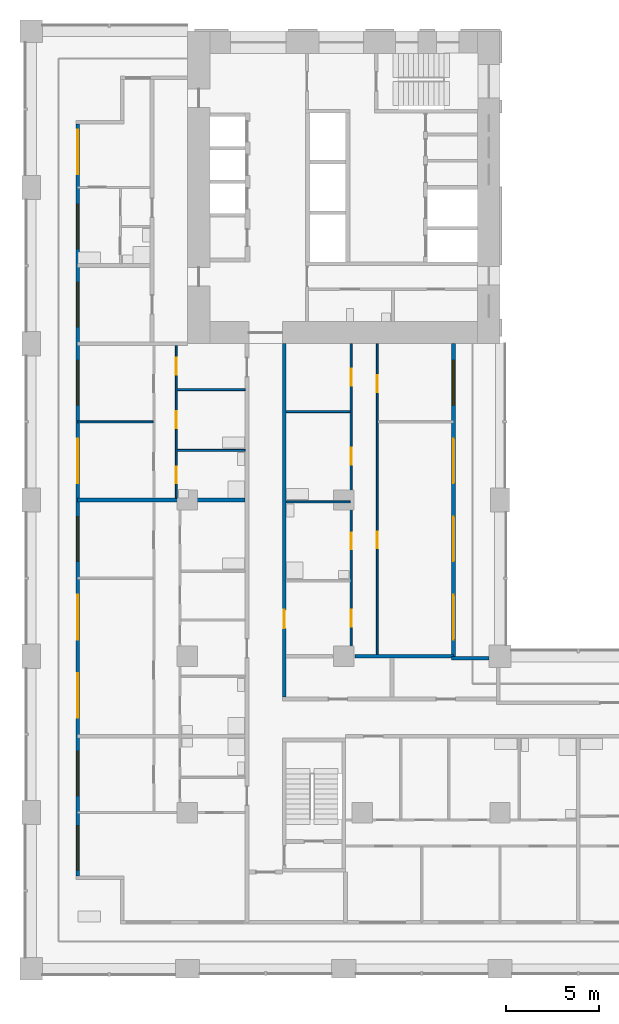
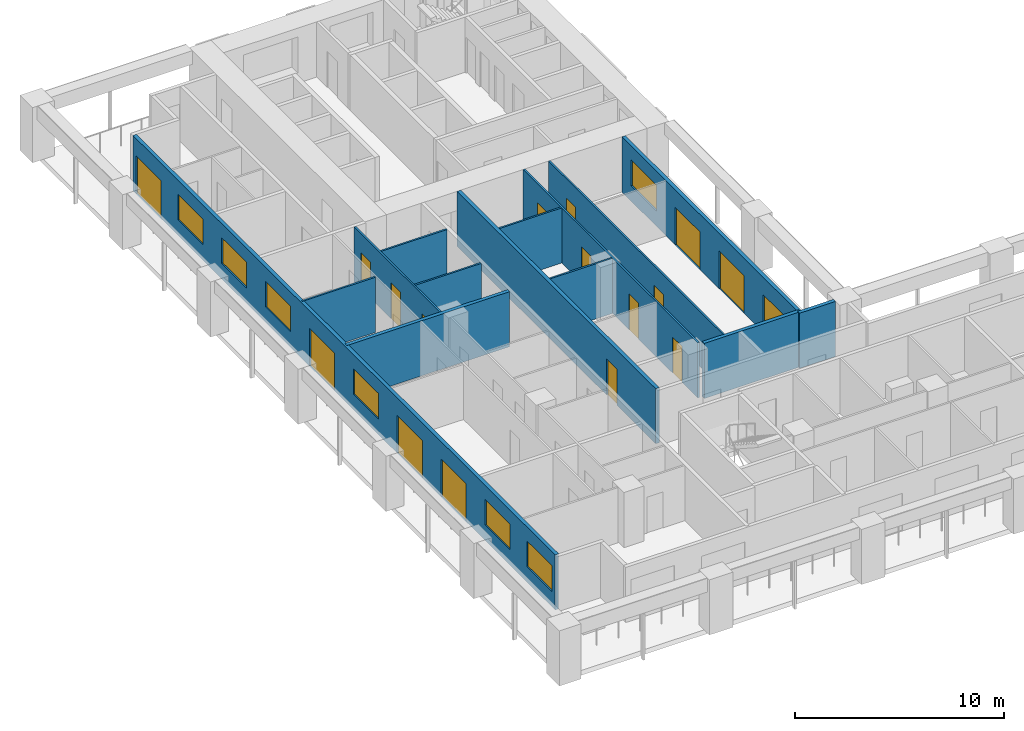
# One storey, part 4 of 17: 17 doors, 14 walls, 7 windows, 24 openings.
"""IFC4 building model written with IfcOpenShell, lengths in metres."""

from ifc_helpers import new_model, si_unit, direction, frame, frame_2d, origin, place, context, subcontext, project, spatial, rectangle, extrude, material, layer, layer_set, type_object, element, fill, save


model = new_model("IFC4")

# Units and contexts
model_context = context("Model", 3, precision=1e-05, world=origin(), true_north=direction((0.0, 1.0)))
body_context = subcontext(model_context, "Body", "Model", "MODEL_VIEW")
ifc_project = project(units=[si_unit("LENGTHUNIT", "METRE"), si_unit("AREAUNIT", "SQUARE_METRE"), si_unit("VOLUMEUNIT", "CUBIC_METRE"), si_unit("PLANEANGLEUNIT", "RADIAN"), si_unit("MASSUNIT", "GRAM", prefix="KILO")], contexts=[model_context])

# Site, building, storey
site_placement = place(None, origin())
site = spatial("IfcSite", under=ifc_project, at=site_placement, CompositionType="ELEMENT")
building_placement = place(site_placement, origin())
building = spatial("IfcBuilding", under=site, at=building_placement, Name="Vermilion Gate Residences", CompositionType="ELEMENT")
storey_placement = place(building_placement, frame((0.0, 0.0, 112.699951171875)))
storey = spatial("IfcBuildingStorey", under=building, at=storey_placement, Name="L28", CompositionType="ELEMENT", Elevation=112.699951171875)

# Wall, openings, doors, windows
ifc_material_1 = material(Name="Insulated steel stud wall with terracotta rainscreen", Category="masonry")
ifc_layer_1 = layer(ifc_material_1, 0.199951171875)
ifc_layer_set_1 = layer_set([ifc_layer_1], Name="EXTERNAL WALL 200 TERRACOTTA RAINSCREEN")
wall_type_1 = type_object("IfcWallType", Name="EXTERNAL WALL 200 TERRACOTTA RAINSCREEN", PredefinedType="SOLIDWALL", material=ifc_layer_set_1)
wall_1_placement = place(storey_placement, frame((2.5, 53.800048828125, 0.0), z_axis=(0.0, 0.0, 1.0), x_axis=(0.0, -1.0, 0.0)))
wall_1 = element("IfcWall", 1, at=wall_1_placement, inside=storey, type_object=wall_type_1, Name="External wall", PredefinedType="SOLIDWALL", context=body_context, shape_type="SweptSolid", body=[
    extrude(rectangle(XDim=40.400146484375, YDim=0.199951171875, at=frame_2d((20.2001953125, 0.0))), origin(), (0.0, 0.0, 1.0), 3.219970703125),
])
opening_1_placement = place(wall_1_placement, frame((37.699951171875, 0.0, 0.89990234375)))
opening_1 = element("IfcOpeningElement", 2, at=opening_1_placement, cuts=wall_1, Name="Opening WE28002", PredefinedType="OPENING", context=body_context, shape_type="SweptSolid", body=[
    extrude(rectangle(XDim=2.39990234375, YDim=1.5, at=frame_2d((1.199951171875, 0.75))), frame((0.0, 0.10986328125, 0.0), z_axis=(0.0, -1.0, 0.0), x_axis=(1.0, 0.0, 0.0)), (0.0, 0.0, 1.0), 0.219970703125),
])
opening_2_placement = place(wall_1_placement, frame((33.699951171875, 0.0, 0.89990234375)))
opening_2 = element("IfcOpeningElement", 3, at=opening_2_placement, cuts=wall_1, Name="Opening WE28003", PredefinedType="OPENING", context=body_context, shape_type="SweptSolid", body=[
    extrude(rectangle(XDim=2.39990234375, YDim=1.5, at=frame_2d((1.199951171875, 0.75))), frame((0.0, 0.10986328125, 0.0), z_axis=(0.0, -1.0, 0.0), x_axis=(1.0, 0.0, 0.0)), (0.0, 0.0, 1.0), 0.219970703125),
])
opening_3_placement = place(wall_1_placement, frame((29.5, 0.0, 0.0)))
opening_3 = element("IfcOpeningElement", 4, at=opening_3_placement, cuts=wall_1, Name="Opening DE28004", PredefinedType="OPENING", context=body_context, shape_type="SweptSolid", body=[
    extrude(rectangle(XDim=2.39990234375, YDim=2.199951171875, at=frame_2d((1.199951171875, 1.10009765625))), frame((0.0, 0.10986328125, 0.0), z_axis=(0.0, -1.0, 0.0), x_axis=(1.0, 0.0, 0.0)), (0.0, 0.0, 1.0), 0.219970703125),
])
opening_4_placement = place(wall_1_placement, frame((25.300048828125, 0.0, 0.0)))
opening_4 = element("IfcOpeningElement", 5, at=opening_4_placement, cuts=wall_1, Name="Opening DE28005", PredefinedType="OPENING", context=body_context, shape_type="SweptSolid", body=[
    extrude(rectangle(XDim=2.39990234375, YDim=2.199951171875, at=frame_2d((1.199951171875, 1.10009765625))), frame((0.0, 0.10986328125, 0.0), z_axis=(0.0, -1.0, 0.0), x_axis=(1.0, 0.0, 0.0)), (0.0, 0.0, 1.0), 0.219970703125),
])
opening_5_placement = place(wall_1_placement, frame((21.10009765625, 0.0, 0.89990234375)))
opening_5 = element("IfcOpeningElement", 6, at=opening_5_placement, cuts=wall_1, Name="Opening WE28006", PredefinedType="OPENING", context=body_context, shape_type="SweptSolid", body=[
    extrude(rectangle(XDim=2.39990234375, YDim=1.5, at=frame_2d((1.199951171875, 0.75))), frame((0.0, 0.10986328125, 0.0), z_axis=(0.0, -1.0, 0.0), x_axis=(1.0, 0.0, 0.0)), (0.0, 0.0, 1.0), 0.219970703125),
])
opening_6_placement = place(wall_1_placement, frame((16.89990234375, 0.0, 0.0)))
opening_6 = element("IfcOpeningElement", 7, at=opening_6_placement, cuts=wall_1, Name="Opening DE28007", PredefinedType="OPENING", context=body_context, shape_type="SweptSolid", body=[
    extrude(rectangle(XDim=2.39990234375, YDim=2.199951171875, at=frame_2d((1.199951171875, 1.10009765625))), frame((0.0, 0.10986328125, 0.0), z_axis=(0.0, -1.0, 0.0), x_axis=(1.0, 0.0, 0.0)), (0.0, 0.0, 1.0), 0.219970703125),
])
opening_7_placement = place(wall_1_placement, frame((12.699951171875, 0.0, 0.89990234375)))
opening_7 = element("IfcOpeningElement", 8, at=opening_7_placement, cuts=wall_1, Name="Opening WE28008", PredefinedType="OPENING", context=body_context, shape_type="SweptSolid", body=[
    extrude(rectangle(XDim=2.39990234375, YDim=1.5, at=frame_2d((1.199951171875, 0.75))), frame((0.0, 0.10986328125, 0.0), z_axis=(0.0, -1.0, 0.0), x_axis=(1.0, 0.0, 0.0)), (0.0, 0.0, 1.0), 0.219970703125),
])
opening_8_placement = place(wall_1_placement, frame((8.5, 0.0, 0.89990234375)))
opening_8 = element("IfcOpeningElement", 9, at=opening_8_placement, cuts=wall_1, Name="Opening WE28009", PredefinedType="OPENING", context=body_context, shape_type="SweptSolid", body=[
    extrude(rectangle(XDim=2.39990234375, YDim=1.5, at=frame_2d((1.199951171875, 0.75))), frame((0.0, 0.10986328125, 0.0), z_axis=(0.0, -1.0, 0.0), x_axis=(1.0, 0.0, 0.0)), (0.0, 0.0, 1.0), 0.219970703125),
])
opening_9_placement = place(wall_1_placement, frame((4.300048828125, 0.0, 0.89990234375)))
opening_9 = element("IfcOpeningElement", 10, at=opening_9_placement, cuts=wall_1, Name="Opening WE28010", PredefinedType="OPENING", context=body_context, shape_type="SweptSolid", body=[
    extrude(rectangle(XDim=2.39990234375, YDim=1.5, at=frame_2d((1.199951171875, 0.75))), frame((0.0, 0.10986328125, 0.0), z_axis=(0.0, -1.0, 0.0), x_axis=(1.0, 0.0, 0.0)), (0.0, 0.0, 1.0), 0.219970703125),
])
opening_10_placement = place(wall_1_placement, frame((0.300048828125, 0.0, 0.0)))
opening_10 = element("IfcOpeningElement", 11, at=opening_10_placement, cuts=wall_1, Name="Opening DE28011", PredefinedType="OPENING", context=body_context, shape_type="SweptSolid", body=[
    extrude(rectangle(XDim=2.39990234375, YDim=2.199951171875, at=frame_2d((1.199951171875, 1.10009765625))), frame((0.0, 0.10986328125, 0.0), z_axis=(0.0, -1.0, 0.0), x_axis=(1.0, 0.0, 0.0)), (0.0, 0.0, 1.0), 0.219970703125),
])
ifc_material_2 = material(Name="Aluminium and clear glass", Category="aluminium")
door_type_1 = type_object("IfcDoorType", Name="SLIDING GLAZED DOOR 2400 X 2200", OperationType="DOUBLE_DOOR_SLIDING", PredefinedType="DOOR", material=ifc_material_2)
door_1_placement = place(opening_3_placement, origin())
door_1 = element("IfcDoor", 12, at=door_1_placement, inside=storey, type_object=door_type_1, Name="Loggia sliding door", OperationType="DOUBLE_DOOR_SLIDING", OverallHeight=2.199951171875, OverallWidth=2.39990234375, PredefinedType="DOOR", context=body_context, shape_type="SweptSolid", body=[
    extrude(rectangle(XDim=2.39990234375, YDim=2.199951171875, at=frame_2d((1.199951171875, 1.10009765625))), frame((0.0, 0.02490234375, 0.0), z_axis=(0.0, -1.0, 0.0), x_axis=(1.0, 0.0, 0.0)), (0.0, 0.0, 1.0), 0.050048828125),
])
fill(opening_3, door_1)
door_2_placement = place(opening_4_placement, origin())
door_2 = element("IfcDoor", 13, at=door_2_placement, inside=storey, type_object=door_type_1, Name="Loggia sliding door", OperationType="DOUBLE_DOOR_SLIDING", OverallHeight=2.199951171875, OverallWidth=2.39990234375, PredefinedType="DOOR", context=body_context, shape_type="SweptSolid", body=[
    extrude(rectangle(XDim=2.39990234375, YDim=2.199951171875, at=frame_2d((1.199951171875, 1.10009765625))), frame((0.0, 0.02490234375, 0.0), z_axis=(0.0, -1.0, 0.0), x_axis=(1.0, 0.0, 0.0)), (0.0, 0.0, 1.0), 0.050048828125),
])
fill(opening_4, door_2)
door_3_placement = place(opening_6_placement, origin())
door_3 = element("IfcDoor", 14, at=door_3_placement, inside=storey, type_object=door_type_1, Name="Loggia sliding door", OperationType="DOUBLE_DOOR_SLIDING", OverallHeight=2.199951171875, OverallWidth=2.39990234375, PredefinedType="DOOR", context=body_context, shape_type="SweptSolid", body=[
    extrude(rectangle(XDim=2.39990234375, YDim=2.199951171875, at=frame_2d((1.199951171875, 1.10009765625))), frame((0.0, 0.02490234375, 0.0), z_axis=(0.0, -1.0, 0.0), x_axis=(1.0, 0.0, 0.0)), (0.0, 0.0, 1.0), 0.050048828125),
])
fill(opening_6, door_3)
door_4_placement = place(opening_10_placement, origin())
door_4 = element("IfcDoor", 15, at=door_4_placement, inside=storey, type_object=door_type_1, Name="Loggia sliding door", OperationType="DOUBLE_DOOR_SLIDING", OverallHeight=2.199951171875, OverallWidth=2.39990234375, PredefinedType="DOOR", context=body_context, shape_type="SweptSolid", body=[
    extrude(rectangle(XDim=2.39990234375, YDim=2.199951171875, at=frame_2d((1.199951171875, 1.10009765625))), frame((0.0, 0.02490234375, 0.0), z_axis=(0.0, -1.0, 0.0), x_axis=(1.0, 0.0, 0.0)), (0.0, 0.0, 1.0), 0.050048828125),
])
fill(opening_10, door_4)
ifc_material_3 = material(Name="Aluminium and clear glass", Category="aluminium")
window_type = type_object("IfcWindowType", Name="WINDOW 2400 X 1500", PartitioningType="SINGLE_PANEL", PredefinedType="WINDOW", material=ifc_material_3)
window_1_placement = place(opening_1_placement, origin())
window_1 = element("IfcWindow", 16, at=window_1_placement, inside=storey, type_object=window_type, Name="Window", OverallHeight=1.5, OverallWidth=2.39990234375, PartitioningType="SINGLE_PANEL", PredefinedType="WINDOW", context=body_context, shape_type="SweptSolid", body=[
    extrude(rectangle(XDim=2.39990234375, YDim=1.5, at=frame_2d((1.199951171875, 0.75))), frame((0.0, 0.030029296875, 0.0), z_axis=(0.0, -1.0, 0.0), x_axis=(1.0, 0.0, 0.0)), (0.0, 0.0, 1.0), 0.06005859375),
])
fill(opening_1, window_1)
window_2_placement = place(opening_2_placement, origin())
window_2 = element("IfcWindow", 17, at=window_2_placement, inside=storey, type_object=window_type, Name="Window", OverallHeight=1.5, OverallWidth=2.39990234375, PartitioningType="SINGLE_PANEL", PredefinedType="WINDOW", context=body_context, shape_type="SweptSolid", body=[
    extrude(rectangle(XDim=2.39990234375, YDim=1.5, at=frame_2d((1.199951171875, 0.75))), frame((0.0, 0.030029296875, 0.0), z_axis=(0.0, -1.0, 0.0), x_axis=(1.0, 0.0, 0.0)), (0.0, 0.0, 1.0), 0.06005859375),
])
fill(opening_2, window_2)
window_3_placement = place(opening_5_placement, origin())
window_3 = element("IfcWindow", 18, at=window_3_placement, inside=storey, type_object=window_type, Name="Window", OverallHeight=1.5, OverallWidth=2.39990234375, PartitioningType="SINGLE_PANEL", PredefinedType="WINDOW", context=body_context, shape_type="SweptSolid", body=[
    extrude(rectangle(XDim=2.39990234375, YDim=1.5, at=frame_2d((1.199951171875, 0.75))), frame((0.0, 0.030029296875, 0.0), z_axis=(0.0, -1.0, 0.0), x_axis=(1.0, 0.0, 0.0)), (0.0, 0.0, 1.0), 0.06005859375),
])
fill(opening_5, window_3)
window_4_placement = place(opening_7_placement, origin())
window_4 = element("IfcWindow", 19, at=window_4_placement, inside=storey, type_object=window_type, Name="Window", OverallHeight=1.5, OverallWidth=2.39990234375, PartitioningType="SINGLE_PANEL", PredefinedType="WINDOW", context=body_context, shape_type="SweptSolid", body=[
    extrude(rectangle(XDim=2.39990234375, YDim=1.5, at=frame_2d((1.199951171875, 0.75))), frame((0.0, 0.030029296875, 0.0), z_axis=(0.0, -1.0, 0.0), x_axis=(1.0, 0.0, 0.0)), (0.0, 0.0, 1.0), 0.06005859375),
])
fill(opening_7, window_4)
window_5_placement = place(opening_8_placement, origin())
window_5 = element("IfcWindow", 20, at=window_5_placement, inside=storey, type_object=window_type, Name="Window", OverallHeight=1.5, OverallWidth=2.39990234375, PartitioningType="SINGLE_PANEL", PredefinedType="WINDOW", context=body_context, shape_type="SweptSolid", body=[
    extrude(rectangle(XDim=2.39990234375, YDim=1.5, at=frame_2d((1.199951171875, 0.75))), frame((0.0, 0.030029296875, 0.0), z_axis=(0.0, -1.0, 0.0), x_axis=(1.0, 0.0, 0.0)), (0.0, 0.0, 1.0), 0.06005859375),
])
fill(opening_8, window_5)
window_6_placement = place(opening_9_placement, origin())
window_6 = element("IfcWindow", 21, at=window_6_placement, inside=storey, type_object=window_type, Name="Window", OverallHeight=1.5, OverallWidth=2.39990234375, PartitioningType="SINGLE_PANEL", PredefinedType="WINDOW", context=body_context, shape_type="SweptSolid", body=[
    extrude(rectangle(XDim=2.39990234375, YDim=1.5, at=frame_2d((1.199951171875, 0.75))), frame((0.0, 0.030029296875, 0.0), z_axis=(0.0, -1.0, 0.0), x_axis=(1.0, 0.0, 0.0)), (0.0, 0.0, 1.0), 0.06005859375),
])
fill(opening_9, window_6)

# Wall
wall_2_placement = place(storey_placement, frame((24.60009765625, 25.10009765625, 0.0), z_axis=(0.0, 0.0, 1.0), x_axis=(-1.0, 0.0, 0.0)))
element("IfcWall", 22, at=wall_2_placement, inside=storey, type_object=wall_type_1, Name="External wall", PredefinedType="SOLIDWALL", context=body_context, shape_type="SweptSolid", body=[
    extrude(rectangle(XDim=2.0, YDim=0.199951171875, at=frame_2d((1.0, 0.0))), origin(), (0.0, 0.0, 1.0), 3.219970703125),
])

# Wall, openings, doors, window
wall_3_placement = place(storey_placement, frame((22.699951171875, 25.199951171875, 0.0), z_axis=(0.0, 0.0, 1.0), x_axis=(0.0, 1.0, 0.0)))
wall_3 = element("IfcWall", 23, at=wall_3_placement, inside=storey, type_object=wall_type_1, Name="External wall", PredefinedType="SOLIDWALL", context=body_context, shape_type="SweptSolid", body=[
    extrude(rectangle(XDim=16.800048828125, YDim=0.199951171875, at=frame_2d((8.39990234375, 0.0))), origin(), (0.0, 0.0, 1.0), 3.219970703125),
])
opening_11_placement = place(wall_3_placement, frame((0.89990234375, 0.0, 0.0)))
opening_11 = element("IfcOpeningElement", 24, at=opening_11_placement, cuts=wall_3, Name="Opening DE28024", PredefinedType="OPENING", context=body_context, shape_type="SweptSolid", body=[
    extrude(rectangle(XDim=2.39990234375, YDim=2.199951171875, at=frame_2d((1.199951171875, 1.10009765625))), frame((0.0, 0.10986328125, 0.0), z_axis=(0.0, -1.0, 0.0), x_axis=(1.0, 0.0, 0.0)), (0.0, 0.0, 1.0), 0.219970703125),
])
opening_12_placement = place(wall_3_placement, frame((5.10009765625, 0.0, 0.0)))
opening_12 = element("IfcOpeningElement", 25, at=opening_12_placement, cuts=wall_3, Name="Opening DE28025", PredefinedType="OPENING", context=body_context, shape_type="SweptSolid", body=[
    extrude(rectangle(XDim=2.39990234375, YDim=2.199951171875, at=frame_2d((1.199951171875, 1.10009765625))), frame((0.0, 0.10986328125, 0.0), z_axis=(0.0, -1.0, 0.0), x_axis=(1.0, 0.0, 0.0)), (0.0, 0.0, 1.0), 0.219970703125),
])
opening_13_placement = place(wall_3_placement, frame((9.300048828125, 0.0, 0.0)))
opening_13 = element("IfcOpeningElement", 26, at=opening_13_placement, cuts=wall_3, Name="Opening DE28026", PredefinedType="OPENING", context=body_context, shape_type="SweptSolid", body=[
    extrude(rectangle(XDim=2.39990234375, YDim=2.199951171875, at=frame_2d((1.199951171875, 1.10009765625))), frame((0.0, 0.10986328125, 0.0), z_axis=(0.0, -1.0, 0.0), x_axis=(1.0, 0.0, 0.0)), (0.0, 0.0, 1.0), 0.219970703125),
])
opening_14_placement = place(wall_3_placement, frame((13.5, 0.0, 0.89990234375)))
opening_14 = element("IfcOpeningElement", 27, at=opening_14_placement, cuts=wall_3, Name="Opening WE28027", PredefinedType="OPENING", context=body_context, shape_type="SweptSolid", body=[
    extrude(rectangle(XDim=2.39990234375, YDim=1.5, at=frame_2d((1.199951171875, 0.75))), frame((0.0, 0.10986328125, 0.0), z_axis=(0.0, -1.0, 0.0), x_axis=(1.0, 0.0, 0.0)), (0.0, 0.0, 1.0), 0.219970703125),
])
door_5_placement = place(opening_11_placement, origin())
door_5 = element("IfcDoor", 28, at=door_5_placement, inside=storey, type_object=door_type_1, Name="Loggia sliding door", OperationType="DOUBLE_DOOR_SLIDING", OverallHeight=2.199951171875, OverallWidth=2.39990234375, PredefinedType="DOOR", context=body_context, shape_type="SweptSolid", body=[
    extrude(rectangle(XDim=2.39990234375, YDim=2.199951171875, at=frame_2d((1.199951171875, 1.10009765625))), frame((0.0, 0.02490234375, 0.0), z_axis=(0.0, -1.0, 0.0), x_axis=(1.0, 0.0, 0.0)), (0.0, 0.0, 1.0), 0.050048828125),
])
fill(opening_11, door_5)
door_6_placement = place(opening_12_placement, origin())
door_6 = element("IfcDoor", 29, at=door_6_placement, inside=storey, type_object=door_type_1, Name="Loggia sliding door", OperationType="DOUBLE_DOOR_SLIDING", OverallHeight=2.199951171875, OverallWidth=2.39990234375, PredefinedType="DOOR", context=body_context, shape_type="SweptSolid", body=[
    extrude(rectangle(XDim=2.39990234375, YDim=2.199951171875, at=frame_2d((1.199951171875, 1.10009765625))), frame((0.0, 0.02490234375, 0.0), z_axis=(0.0, -1.0, 0.0), x_axis=(1.0, 0.0, 0.0)), (0.0, 0.0, 1.0), 0.050048828125),
])
fill(opening_12, door_6)
door_7_placement = place(opening_13_placement, origin())
door_7 = element("IfcDoor", 30, at=door_7_placement, inside=storey, type_object=door_type_1, Name="Loggia sliding door", OperationType="DOUBLE_DOOR_SLIDING", OverallHeight=2.199951171875, OverallWidth=2.39990234375, PredefinedType="DOOR", context=body_context, shape_type="SweptSolid", body=[
    extrude(rectangle(XDim=2.39990234375, YDim=2.199951171875, at=frame_2d((1.199951171875, 1.10009765625))), frame((0.0, 0.02490234375, 0.0), z_axis=(0.0, -1.0, 0.0), x_axis=(1.0, 0.0, 0.0)), (0.0, 0.0, 1.0), 0.050048828125),
])
fill(opening_13, door_7)
window_7_placement = place(opening_14_placement, origin())
window_7 = element("IfcWindow", 31, at=window_7_placement, inside=storey, type_object=window_type, Name="Window", OverallHeight=1.5, OverallWidth=2.39990234375, PartitioningType="SINGLE_PANEL", PredefinedType="WINDOW", context=body_context, shape_type="SweptSolid", body=[
    extrude(rectangle(XDim=2.39990234375, YDim=1.5, at=frame_2d((1.199951171875, 0.75))), frame((0.0, 0.030029296875, 0.0), z_axis=(0.0, -1.0, 0.0), x_axis=(1.0, 0.0, 0.0)), (0.0, 0.0, 1.0), 0.06005859375),
])
fill(opening_14, window_7)

# Walls
ifc_material_4 = material(Name="Plasterboard on steel studs", Category="steel")
ifc_layer_2 = layer(ifc_material_4, 0.10009765625)
ifc_layer_set_2 = layer_set([ifc_layer_2], Name="PARTITION 100")
wall_type_2 = type_object("IfcWallType", Name="PARTITION 100", PredefinedType="PARTITIONING", material=ifc_layer_set_2)
wall_4_placement = place(storey_placement, frame((13.699951171875, 33.5, 0.0), z_axis=(0.0, 0.0, 1.0), x_axis=(1.0, 0.0, 0.0)))
element("IfcWall", 32, at=wall_4_placement, inside=storey, type_object=wall_type_2, Name="Partition", PredefinedType="PARTITIONING", context=body_context, shape_type="SweptSolid", body=[
    extrude(rectangle(XDim=3.449951171875, YDim=0.10009765625, at=frame_2d((1.72509765625, 0.0))), origin(), (0.0, 0.0, 1.0), 3.219970703125),
])
wall_5_placement = place(storey_placement, frame((7.85009765625, 36.26708984375, 0.0), z_axis=(0.0, 0.0, 1.0), x_axis=(1.0, 0.0, 0.0)))
element("IfcWall", 33, at=wall_5_placement, inside=storey, type_object=wall_type_2, Name="Partition", PredefinedType="PARTITIONING", context=body_context, shape_type="SweptSolid", body=[
    extrude(rectangle(XDim=3.64990234375, YDim=0.10009765625, at=frame_2d((1.824951171875, 0.0))), origin(), (0.0, 0.0, 1.0), 3.219970703125),
])
wall_6_placement = place(storey_placement, frame((2.5, 37.800048828125, 0.0), z_axis=(0.0, 0.0, 1.0), x_axis=(1.0, 0.0, 0.0)))
element("IfcWall", 34, at=wall_6_placement, inside=storey, type_object=wall_type_2, Name="Partition", PredefinedType="PARTITIONING", context=body_context, shape_type="SweptSolid", body=[
    extrude(rectangle(XDim=4.050048828125, YDim=0.10009765625, at=frame_2d((2.02490234375, 0.0))), origin(), (0.0, 0.0, 1.0), 3.219970703125),
])
wall_7_placement = place(storey_placement, frame((13.699951171875, 38.35009765625, 0.0), z_axis=(0.0, 0.0, 1.0), x_axis=(1.0, 0.0, 0.0)))
element("IfcWall", 35, at=wall_7_placement, inside=storey, type_object=wall_type_2, Name="Partition", PredefinedType="PARTITIONING", context=body_context, shape_type="SweptSolid", body=[
    extrude(rectangle(XDim=3.449951171875, YDim=0.10009765625, at=frame_2d((1.72509765625, 0.0))), origin(), (0.0, 0.0, 1.0), 3.219970703125),
])
wall_8_placement = place(storey_placement, frame((7.85009765625, 39.532958984375, 0.0), z_axis=(0.0, 0.0, 1.0), x_axis=(1.0, 0.0, 0.0)))
element("IfcWall", 36, at=wall_8_placement, inside=storey, type_object=wall_type_2, Name="Partition", PredefinedType="PARTITIONING", context=body_context, shape_type="SweptSolid", body=[
    extrude(rectangle(XDim=3.64990234375, YDim=0.10009765625, at=frame_2d((1.824951171875, 0.0))), origin(), (0.0, 0.0, 1.0), 3.219970703125),
])

# Wall, openings, doors
wall_9_placement = place(storey_placement, frame((7.800048828125, 33.699951171875, 0.0), z_axis=(0.0, 0.0, 1.0), x_axis=(0.0, 1.0, 0.0)))
wall_9 = element("IfcWall", 37, at=wall_9_placement, inside=storey, type_object=wall_type_2, Name="Partition", PredefinedType="PARTITIONING", context=body_context, shape_type="SweptSolid", body=[
    extrude(rectangle(XDim=8.199951171875, YDim=0.10009765625, at=frame_2d((4.10009765625, 0.0))), origin(), (0.0, 0.0, 1.0), 3.219970703125),
])
opening_15_placement = place(wall_9_placement, frame((6.633056640625, 0.0, 0.0)))
opening_15 = element("IfcOpeningElement", 38, at=opening_15_placement, cuts=wall_9, Name="Opening DA28029", PredefinedType="OPENING", context=body_context, shape_type="SweptSolid", body=[
    extrude(rectangle(XDim=0.89990234375, YDim=2.10009765625, at=frame_2d((0.449951171875, 1.050048828125))), frame((0.0, 0.06005859375, 0.0), z_axis=(0.0, -1.0, 0.0), x_axis=(1.0, 0.0, 0.0)), (0.0, 0.0, 1.0), 0.1201171875),
])
opening_16_placement = place(wall_9_placement, frame((0.800048828125, 0.0, 0.0)))
opening_16 = element("IfcOpeningElement", 39, at=opening_16_placement, cuts=wall_9, Name="Opening DA28030", PredefinedType="OPENING", context=body_context, shape_type="SweptSolid", body=[
    extrude(rectangle(XDim=0.89990234375, YDim=2.10009765625, at=frame_2d((0.449951171875, 1.050048828125))), frame((0.0, 0.06005859375, 0.0), z_axis=(0.0, -1.0, 0.0), x_axis=(1.0, 0.0, 0.0)), (0.0, 0.0, 1.0), 0.1201171875),
])
opening_17_placement = place(wall_9_placement, frame((3.76708984375, 0.0, 0.0)))
opening_17 = element("IfcOpeningElement", 40, at=opening_17_placement, cuts=wall_9, Name="Opening DA28031", PredefinedType="OPENING", context=body_context, shape_type="SweptSolid", body=[
    extrude(rectangle(XDim=0.89990234375, YDim=2.10009765625, at=frame_2d((0.449951171875, 1.050048828125))), frame((0.0, 0.06005859375, 0.0), z_axis=(0.0, -1.0, 0.0), x_axis=(1.0, 0.0, 0.0)), (0.0, 0.0, 1.0), 0.1201171875),
])
ifc_material_5 = material(Name="Timber", Category="wood")
door_type_2 = type_object("IfcDoorType", Name="INTERIOR DOOR 900 X 2100", OperationType="SINGLE_SWING_LEFT", PredefinedType="DOOR", material=ifc_material_5)
door_8_placement = place(opening_15_placement, frame((0.89990234375, 0.0, 0.0), z_axis=(0.0, 0.0, 1.0), x_axis=(-1.0, 0.0, 0.0)))
door_8 = element("IfcDoor", 41, at=door_8_placement, inside=storey, type_object=door_type_2, Name="Interior door", OperationType="SINGLE_SWING_LEFT", OverallHeight=2.10009765625, OverallWidth=0.89990234375, PredefinedType="DOOR", context=body_context, shape_type="SweptSolid", body=[
    extrude(rectangle(XDim=0.89990234375, YDim=2.10009765625, at=frame_2d((0.449951171875, 1.050048828125))), frame((0.0, 0.02490234375, 0.0), z_axis=(0.0, -1.0, 0.0), x_axis=(1.0, 0.0, 0.0)), (0.0, 0.0, 1.0), 0.050048828125),
])
fill(opening_15, door_8)
door_9_placement = place(opening_16_placement, frame((0.89990234375, 0.0, 0.0), z_axis=(0.0, 0.0, 1.0), x_axis=(-1.0, 0.0, 0.0)))
door_9 = element("IfcDoor", 42, at=door_9_placement, inside=storey, type_object=door_type_2, Name="Interior door", OperationType="SINGLE_SWING_RIGHT", OverallHeight=2.10009765625, OverallWidth=0.89990234375, PredefinedType="DOOR", context=body_context, shape_type="SweptSolid", body=[
    extrude(rectangle(XDim=0.89990234375, YDim=2.10009765625, at=frame_2d((0.449951171875, 1.050048828125))), frame((0.0, 0.02490234375, 0.0), z_axis=(0.0, -1.0, 0.0), x_axis=(1.0, 0.0, 0.0)), (0.0, 0.0, 1.0), 0.050048828125),
])
fill(opening_16, door_9)
door_10_placement = place(opening_17_placement, frame((0.89990234375, 0.0, 0.0), z_axis=(0.0, 0.0, 1.0), x_axis=(-1.0, 0.0, 0.0)))
door_10 = element("IfcDoor", 43, at=door_10_placement, inside=storey, type_object=door_type_2, Name="Interior door", OperationType="SINGLE_SWING_LEFT", OverallHeight=2.10009765625, OverallWidth=0.89990234375, PredefinedType="DOOR", context=body_context, shape_type="SweptSolid", body=[
    extrude(rectangle(XDim=0.89990234375, YDim=2.10009765625, at=frame_2d((0.449951171875, 1.050048828125))), frame((0.0, 0.02490234375, 0.0), z_axis=(0.0, -1.0, 0.0), x_axis=(1.0, 0.0, 0.0)), (0.0, 0.0, 1.0), 0.050048828125),
])
fill(opening_17, door_10)

wall_10_placement = place(storey_placement, frame((17.199951171875, 25.300048828125, 0.0), z_axis=(0.0, 0.0, 1.0), x_axis=(0.0, 1.0, 0.0)))
wall_10 = element("IfcWall", 44, at=wall_10_placement, inside=storey, type_object=wall_type_2, Name="Partition", PredefinedType="PARTITIONING", context=body_context, shape_type="SweptSolid", body=[
    extrude(rectangle(XDim=16.699951171875, YDim=0.10009765625, at=frame_2d((8.35009765625, 0.0))), origin(), (0.0, 0.0, 1.0), 3.219970703125),
])
opening_18_placement = place(wall_10_placement, frame((1.5, 0.0, 0.0)))
opening_18 = element("IfcOpeningElement", 45, at=opening_18_placement, cuts=wall_10, Name="Opening DA28042", PredefinedType="OPENING", context=body_context, shape_type="SweptSolid", body=[
    extrude(rectangle(XDim=0.89990234375, YDim=2.10009765625, at=frame_2d((0.449951171875, 1.050048828125))), frame((0.0, 0.06005859375, 0.0), z_axis=(0.0, -1.0, 0.0), x_axis=(1.0, 0.0, 0.0)), (0.0, 0.0, 1.0), 0.1201171875),
])
opening_19_placement = place(wall_10_placement, frame((5.64990234375, 0.0, 0.0)))
opening_19 = element("IfcOpeningElement", 46, at=opening_19_placement, cuts=wall_10, Name="Opening DA28043", PredefinedType="OPENING", context=body_context, shape_type="SweptSolid", body=[
    extrude(rectangle(XDim=0.89990234375, YDim=2.10009765625, at=frame_2d((0.449951171875, 1.050048828125))), frame((0.0, 0.06005859375, 0.0), z_axis=(0.0, -1.0, 0.0), x_axis=(1.0, 0.0, 0.0)), (0.0, 0.0, 1.0), 0.1201171875),
])
opening_20_placement = place(wall_10_placement, frame((10.199951171875, 0.0, 0.0)))
opening_20 = element("IfcOpeningElement", 47, at=opening_20_placement, cuts=wall_10, Name="Opening DA28044", PredefinedType="OPENING", context=body_context, shape_type="SweptSolid", body=[
    extrude(rectangle(XDim=0.89990234375, YDim=2.10009765625, at=frame_2d((0.449951171875, 1.050048828125))), frame((0.0, 0.06005859375, 0.0), z_axis=(0.0, -1.0, 0.0), x_axis=(1.0, 0.0, 0.0)), (0.0, 0.0, 1.0), 0.1201171875),
])
opening_21_placement = place(wall_10_placement, frame((14.449951171875, 0.0, 0.0)))
opening_21 = element("IfcOpeningElement", 48, at=opening_21_placement, cuts=wall_10, Name="Opening DA28045", PredefinedType="OPENING", context=body_context, shape_type="SweptSolid", body=[
    extrude(rectangle(XDim=0.89990234375, YDim=2.10009765625, at=frame_2d((0.449951171875, 1.050048828125))), frame((0.0, 0.06005859375, 0.0), z_axis=(0.0, -1.0, 0.0), x_axis=(1.0, 0.0, 0.0)), (0.0, 0.0, 1.0), 0.1201171875),
])
door_11_placement = place(opening_18_placement, origin())
door_11 = element("IfcDoor", 49, at=door_11_placement, inside=storey, type_object=door_type_2, Name="Interior door", OperationType="SINGLE_SWING_LEFT", OverallHeight=2.10009765625, OverallWidth=0.89990234375, PredefinedType="DOOR", context=body_context, shape_type="SweptSolid", body=[
    extrude(rectangle(XDim=0.89990234375, YDim=2.10009765625, at=frame_2d((0.449951171875, 1.050048828125))), frame((0.0, 0.02490234375, 0.0), z_axis=(0.0, -1.0, 0.0), x_axis=(1.0, 0.0, 0.0)), (0.0, 0.0, 1.0), 0.050048828125),
])
fill(opening_18, door_11)
door_12_placement = place(opening_19_placement, origin())
door_12 = element("IfcDoor", 50, at=door_12_placement, inside=storey, type_object=door_type_2, Name="Interior door", OperationType="SINGLE_SWING_LEFT", OverallHeight=2.10009765625, OverallWidth=0.89990234375, PredefinedType="DOOR", context=body_context, shape_type="SweptSolid", body=[
    extrude(rectangle(XDim=0.89990234375, YDim=2.10009765625, at=frame_2d((0.449951171875, 1.050048828125))), frame((0.0, 0.02490234375, 0.0), z_axis=(0.0, -1.0, 0.0), x_axis=(1.0, 0.0, 0.0)), (0.0, 0.0, 1.0), 0.050048828125),
])
fill(opening_19, door_12)
door_13_placement = place(opening_20_placement, origin())
door_13 = element("IfcDoor", 51, at=door_13_placement, inside=storey, type_object=door_type_2, Name="Interior door", OperationType="SINGLE_SWING_LEFT", OverallHeight=2.10009765625, OverallWidth=0.89990234375, PredefinedType="DOOR", context=body_context, shape_type="SweptSolid", body=[
    extrude(rectangle(XDim=0.89990234375, YDim=2.10009765625, at=frame_2d((0.449951171875, 1.050048828125))), frame((0.0, 0.02490234375, 0.0), z_axis=(0.0, -1.0, 0.0), x_axis=(1.0, 0.0, 0.0)), (0.0, 0.0, 1.0), 0.050048828125),
])
fill(opening_20, door_13)
door_14_placement = place(opening_21_placement, origin())
door_14 = element("IfcDoor", 52, at=door_14_placement, inside=storey, type_object=door_type_2, Name="Interior door", OperationType="SINGLE_SWING_LEFT", OverallHeight=2.10009765625, OverallWidth=0.89990234375, PredefinedType="DOOR", context=body_context, shape_type="SweptSolid", body=[
    extrude(rectangle(XDim=0.89990234375, YDim=2.10009765625, at=frame_2d((0.449951171875, 1.050048828125))), frame((0.0, 0.02490234375, 0.0), z_axis=(0.0, -1.0, 0.0), x_axis=(1.0, 0.0, 0.0)), (0.0, 0.0, 1.0), 0.050048828125),
])
fill(opening_21, door_14)

wall_11_placement = place(storey_placement, frame((18.60009765625, 25.300048828125, 0.0), z_axis=(0.0, 0.0, 1.0), x_axis=(0.0, 1.0, 0.0)))
wall_11 = element("IfcWall", 53, at=wall_11_placement, inside=storey, type_object=wall_type_2, Name="Partition", PredefinedType="PARTITIONING", context=body_context, shape_type="SweptSolid", body=[
    extrude(rectangle(XDim=16.699951171875, YDim=0.10009765625, at=frame_2d((8.35009765625, 0.0))), origin(), (0.0, 0.0, 1.0), 3.219970703125),
])
opening_22_placement = place(wall_11_placement, frame((5.699951171875, 0.0, 0.0)))
opening_22 = element("IfcOpeningElement", 54, at=opening_22_placement, cuts=wall_11, Name="Opening DA28046", PredefinedType="OPENING", context=body_context, shape_type="SweptSolid", body=[
    extrude(rectangle(XDim=0.89990234375, YDim=2.10009765625, at=frame_2d((0.449951171875, 1.050048828125))), frame((0.0, 0.06005859375, 0.0), z_axis=(0.0, -1.0, 0.0), x_axis=(1.0, 0.0, 0.0)), (0.0, 0.0, 1.0), 0.1201171875),
])
opening_23_placement = place(wall_11_placement, frame((14.10009765625, 0.0, 0.0)))
opening_23 = element("IfcOpeningElement", 55, at=opening_23_placement, cuts=wall_11, Name="Opening DA28047", PredefinedType="OPENING", context=body_context, shape_type="SweptSolid", body=[
    extrude(rectangle(XDim=0.89990234375, YDim=2.10009765625, at=frame_2d((0.449951171875, 1.050048828125))), frame((0.0, 0.06005859375, 0.0), z_axis=(0.0, -1.0, 0.0), x_axis=(1.0, 0.0, 0.0)), (0.0, 0.0, 1.0), 0.1201171875),
])
door_15_placement = place(opening_22_placement, frame((0.89990234375, 0.0, 0.0), z_axis=(0.0, 0.0, 1.0), x_axis=(-1.0, 0.0, 0.0)))
door_15 = element("IfcDoor", 56, at=door_15_placement, inside=storey, type_object=door_type_2, Name="Interior door", OperationType="SINGLE_SWING_RIGHT", OverallHeight=2.10009765625, OverallWidth=0.89990234375, PredefinedType="DOOR", context=body_context, shape_type="SweptSolid", body=[
    extrude(rectangle(XDim=0.89990234375, YDim=2.10009765625, at=frame_2d((0.449951171875, 1.050048828125))), frame((0.0, 0.02490234375, 0.0), z_axis=(0.0, -1.0, 0.0), x_axis=(1.0, 0.0, 0.0)), (0.0, 0.0, 1.0), 0.050048828125),
])
fill(opening_22, door_15)
door_16_placement = place(opening_23_placement, frame((0.89990234375, 0.0, 0.0), z_axis=(0.0, 0.0, 1.0), x_axis=(-1.0, 0.0, 0.0)))
door_16 = element("IfcDoor", 57, at=door_16_placement, inside=storey, type_object=door_type_2, Name="Interior door", OperationType="SINGLE_SWING_RIGHT", OverallHeight=2.10009765625, OverallWidth=0.89990234375, PredefinedType="DOOR", context=body_context, shape_type="SweptSolid", body=[
    extrude(rectangle(XDim=0.89990234375, YDim=2.10009765625, at=frame_2d((0.449951171875, 1.050048828125))), frame((0.0, 0.02490234375, 0.0), z_axis=(0.0, -1.0, 0.0), x_axis=(1.0, 0.0, 0.0)), (0.0, 0.0, 1.0), 0.050048828125),
])
fill(opening_23, door_16)

# Walls
ifc_material_6 = material(Name="Fire-rated plasterboard on steel studs", Category="steel")
ifc_layer_3 = layer(ifc_material_6, 0.199951171875)
ifc_layer_set_3 = layer_set([ifc_layer_3], Name="PARTY WALL 200 EI 120")
wall_type_3 = type_object("IfcWallType", Name="PARTY WALL 200 EI 120", PredefinedType="PARTITIONING", material=ifc_layer_set_3)
wall_12_placement = place(storey_placement, frame((17.39990234375, 25.199951171875, 0.0), z_axis=(0.0, 0.0, 1.0), x_axis=(1.0, 0.0, 0.0)))
element("IfcWall", 58, at=wall_12_placement, inside=storey, type_object=wall_type_3, Name="Party and corridor wall", PredefinedType="PARTITIONING", context=body_context, shape_type="SweptSolid", body=[
    extrude(rectangle(XDim=5.300048828125, YDim=0.199951171875, at=frame_2d((2.64990234375, 0.0))), origin(), (0.0, 0.0, 1.0), 3.219970703125),
])
wall_13_placement = place(storey_placement, frame((2.5, 33.60009765625, 0.0), z_axis=(0.0, 0.0, 1.0), x_axis=(1.0, 0.0, 0.0)))
element("IfcWall", 59, at=wall_13_placement, inside=storey, type_object=wall_type_3, Name="Party and corridor wall", PredefinedType="PARTITIONING", context=body_context, shape_type="SweptSolid", body=[
    extrude(rectangle(XDim=9.0, YDim=0.199951171875, at=frame_2d((4.5, 0.0))), origin(), (0.0, 0.0, 1.0), 3.219970703125),
])

# Wall, opening, door
wall_14_placement = place(storey_placement, frame((13.60009765625, 23.0, 0.0), z_axis=(0.0, 0.0, 1.0), x_axis=(0.0, 1.0, 0.0)))
wall_14 = element("IfcWall", 60, at=wall_14_placement, inside=storey, type_object=wall_type_3, Name="Party and corridor wall", PredefinedType="PARTITIONING", context=body_context, shape_type="SweptSolid", body=[
    extrude(rectangle(XDim=19.0, YDim=0.199951171875, at=frame_2d((9.5, 0.0))), origin(), (0.0, 0.0, 1.0), 3.219970703125),
])
opening_24_placement = place(wall_14_placement, frame((3.699951171875, 0.0, 0.0)))
opening_24 = element("IfcOpeningElement", 61, at=opening_24_placement, cuts=wall_14, Name="Opening DA28041", PredefinedType="OPENING", context=body_context, shape_type="SweptSolid", body=[
    extrude(rectangle(XDim=1.0, YDim=2.10009765625, at=frame_2d((0.5, 1.050048828125))), frame((0.0, 0.10986328125, 0.0), z_axis=(0.0, -1.0, 0.0), x_axis=(1.0, 0.0, 0.0)), (0.0, 0.0, 1.0), 0.219970703125),
])
ifc_material_7 = material(Name="Steel", Category="steel")
door_type_3 = type_object("IfcDoorType", Name="ENTRANCE DOOR 1000 X 2100 FD30", OperationType="SINGLE_SWING_LEFT", PredefinedType="DOOR", material=ifc_material_7)
door_17_placement = place(opening_24_placement, frame((1.0, 0.0, 0.0), z_axis=(0.0, 0.0, 1.0), x_axis=(-1.0, 0.0, 0.0)))
door_17 = element("IfcDoor", 62, at=door_17_placement, inside=storey, type_object=door_type_3, Name="Entrance door", OperationType="SINGLE_SWING_RIGHT", OverallHeight=2.10009765625, OverallWidth=1.0, PredefinedType="DOOR", context=body_context, shape_type="SweptSolid", body=[
    extrude(rectangle(XDim=1.0, YDim=2.10009765625, at=frame_2d((0.5, 1.050048828125))), frame((0.0, 0.02490234375, 0.0), z_axis=(0.0, -1.0, 0.0), x_axis=(1.0, 0.0, 0.0)), (0.0, 0.0, 1.0), 0.050048828125),
])
fill(opening_24, door_17)

save(model, "model.ifc")
